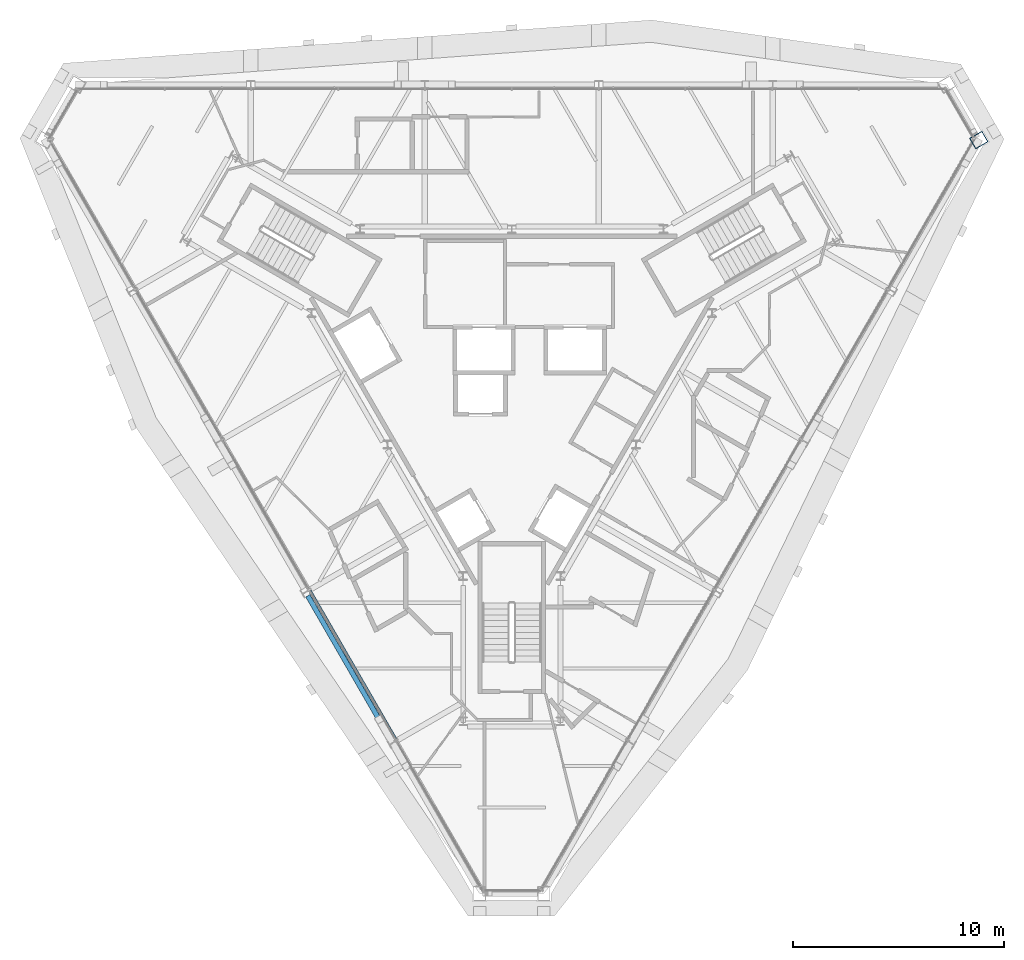
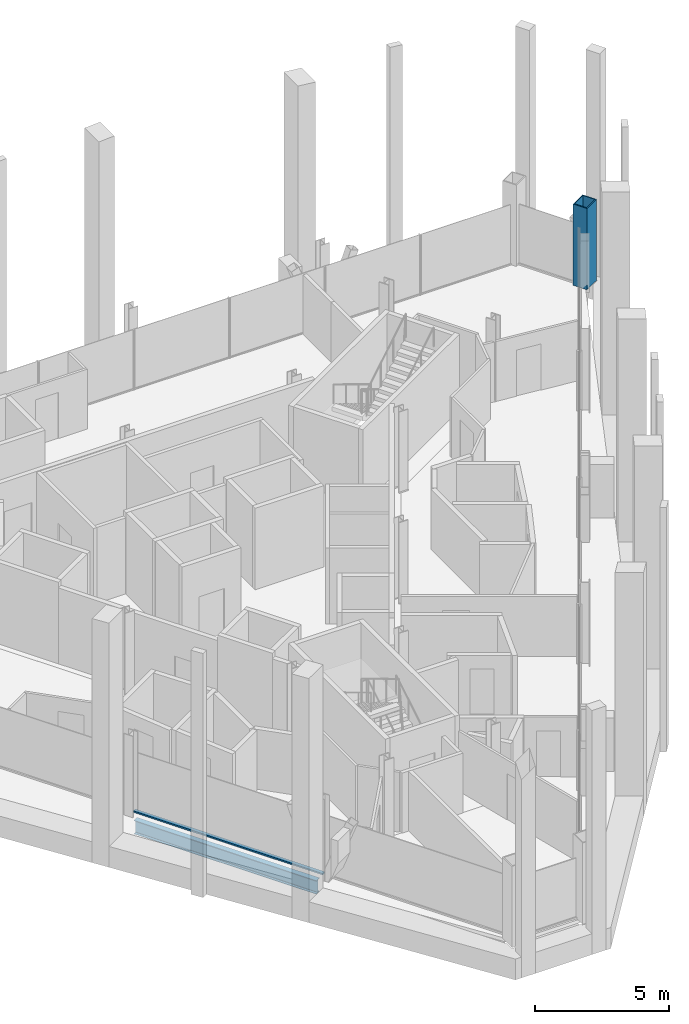
# One storey, part 2 of 12: 1 beam, 1 column, 1 member, 1 element without a shape of its own.
"""IFC4 building model written with IfcOpenShell, lengths in metres."""

import ifcopenshell
import ifcopenshell.guid

model = None  # the IFC model being written
_history = None  # IfcOwnerHistory: only IFC2X3 demands one
_inside = {}  # id of a spatial element -> (the spatial element, [elements in it])
_under = {}  # id of a project, library or spatial element -> (it, [spatial elements below it])
_declared = {}  # id of a project -> (the project, [libraries it declares])
_typed = {}  # id of a type object -> (the type object, [elements of that type])
_made_of = {}  # id of a material, layer set ... -> (it, [elements and type objects made of it])


def new_model(schema):
    """Start an empty IFC model of exactly this schema.

    Asked for "IFC4X3", IfcOpenShell would pick the latest addendum, in which some entities
    have other attributes; the version numbers below select the first issue.
    IFC2X3 requires an IfcOwnerHistory on every rooted entity: one is made here for all.
    """
    global model, _history
    if schema == "IFC4X3":
        model = ifcopenshell.file(schema_version=(4, 3, 0, 0))
    else:
        model = ifcopenshell.file(schema=schema)
    _inside.clear()
    _under.clear()
    _declared.clear()
    _typed.clear()
    _made_of.clear()
    _history = None
    if model.schema == "IFC2X3":
        org = make("IfcOrganization", Name="unknown")
        user = make(
            "IfcPersonAndOrganization",
            ThePerson=make("IfcPerson", FamilyName="unknown"),
            TheOrganization=org,
        )
        app = make(
            "IfcApplication",
            ApplicationDeveloper=org,
            Version="unknown",
            ApplicationFullName="unknown",
            ApplicationIdentifier="unknown",
        )
        _history = make(
            "IfcOwnerHistory",
            OwningUser=user,
            OwningApplication=app,
            ChangeAction="ADDED",
            CreationDate=0,
        )
    return model


def make(cls, **values):
    """One entity of the class cls with the attributes given. An attribute that is None is left unset."""
    return model.create_entity(
        cls, **{name: value for name, value in values.items() if value is not None}
    )


def rooted(cls, **values):
    """An entity with a GlobalId (a new one), such as an element, a storey or a relation."""
    return make(cls, GlobalId=ifcopenshell.guid.new(), OwnerHistory=_history, **values)


def si_unit(unit_type, name, prefix=None):
    """IfcSIUnit, for example si_unit("LENGTHUNIT", "METRE", prefix="MILLI")."""
    return make("IfcSIUnit", UnitType=unit_type, Prefix=prefix, Name=name)


def assignment(units):
    """IfcUnitAssignment: the units of a project."""
    return None if units is None else make("IfcUnitAssignment", Units=units)


def point(xyz):
    """IfcCartesianPoint."""
    return None if xyz is None else make("IfcCartesianPoint", Coordinates=xyz)


def direction(xyz):
    """IfcDirection."""
    return None if xyz is None else make("IfcDirection", DirectionRatios=xyz)


def frame(location, z_axis=None, x_axis=None):
    """IfcAxis2Placement3D, a coordinate frame: its origin and axes. An axis left out is left unset."""
    return make(
        "IfcAxis2Placement3D",
        Location=point(location),
        Axis=direction(z_axis),
        RefDirection=direction(x_axis),
    )


def frame_2d(location, x_axis=None):
    """IfcAxis2Placement2D, a coordinate frame in the plane: its origin and x axis."""
    return make(
        "IfcAxis2Placement2D", Location=point(location), RefDirection=direction(x_axis)
    )


def origin():
    """The frame at (0, 0, 0) with its axes left unset."""
    return frame((0.0, 0.0, 0.0))


def origin_2d():
    """The frame at (0, 0) in the plane with its x axis left unset."""
    return frame_2d((0.0, 0.0))


def place(relative_to, where):
    """IfcLocalPlacement: puts the frame where relative to a parent placement (None: the world)."""
    return make(
        "IfcLocalPlacement", PlacementRelTo=relative_to, RelativePlacement=where
    )


def context(
    kind, dimensions, precision=None, world=None, true_north=None, identifier=None
):
    """IfcGeometricRepresentationContext, for example the 3D "Model" context."""
    return make(
        "IfcGeometricRepresentationContext",
        ContextIdentifier=identifier,
        ContextType=kind,
        CoordinateSpaceDimension=dimensions,
        Precision=precision,
        WorldCoordinateSystem=world,
        TrueNorth=true_north,
    )


def subcontext(parent, identifier, kind, view, scale=None):
    """IfcGeometricRepresentationSubContext, for example "Body" below "Model"."""
    return make(
        "IfcGeometricRepresentationSubContext",
        ContextIdentifier=identifier,
        ContextType=kind,
        ParentContext=parent,
        TargetScale=scale,
        TargetView=view,
    )


def project(units=None, contexts=None):
    """IfcProject with its units and contexts."""
    return rooted(
        "IfcProject",
        Name="project",
        RepresentationContexts=contexts,
        UnitsInContext=assignment(units),
    )


def spatial(cls, under=None, at=None, **own):
    """A site, building, storey or space (cls), placed at a placement, below another one or the project."""
    s = rooted(cls, ObjectPlacement=at, **own)
    if under is not None:
        _under.setdefault(under.id(), (under, []))[1].append(s)
    return s


def profile(cls, at=None, kind="AREA", **sizes):
    """A parametric profile (cls). Its sizes go by their IFC names, for example OverallWidth=200.0."""
    return make(cls, ProfileType=kind, Position=at, **sizes)


def rectangle(**sizes):
    """IfcRectangleProfileDef."""
    return profile("IfcRectangleProfileDef", **sizes)


def hollow_rectangle(**sizes):
    """IfcRectangleHollowProfileDef."""
    return profile("IfcRectangleHollowProfileDef", **sizes)


def i_section(**sizes):
    """IfcIShapeProfileDef."""
    return profile("IfcIShapeProfileDef", **sizes)


def extrude(swept, where, along, depth):
    """IfcExtrudedAreaSolid: the profile swept, set in the frame where, extruded along a direction by depth."""
    return make(
        "IfcExtrudedAreaSolid",
        SweptArea=swept,
        Position=where,
        ExtrudedDirection=direction(along),
        Depth=depth,
    )


def shape(context_of_items, identifier, shape_type, items):
    """IfcShapeRepresentation: the items that make up one representation, for example the "Body"."""
    return make(
        "IfcShapeRepresentation",
        ContextOfItems=context_of_items,
        RepresentationIdentifier=identifier,
        RepresentationType=shape_type,
        Items=items,
    )


def material(Name=None, Category=None):
    """IfcMaterial."""
    return make("IfcMaterial", Name=Name, Category=Category)


def material_profile(
    of_material, cross_section, Name=None, Category=None, Priority=None
):
    """IfcMaterialProfile: a cross section and its material."""
    return make(
        "IfcMaterialProfile",
        Name=Name,
        Material=of_material,
        Profile=cross_section,
        Priority=Priority,
        Category=Category,
    )


def profile_set(profiles, Name=None, composite=None):
    """IfcMaterialProfileSet."""
    return make(
        "IfcMaterialProfileSet",
        Name=Name,
        MaterialProfiles=profiles,
        CompositeProfile=composite,
    )


def made_of(thing, what):
    """Note that an element or type object is made of a material, layer set ...; save() writes the relation."""
    if what is not None:
        _made_of.setdefault(what.id(), (what, []))[1].append(thing)
    return thing


def type_object(cls, material=None, **own):
    """A type object (cls), such as IfcWallType, which elements share."""
    return made_of(rooted(cls, **own), material)


def element(
    cls,
    number,
    at=None,
    inside=None,
    cuts=None,
    type_object=None,
    material=None,
    context=None,
    identifier="Body",
    shape_type=None,
    held_by="IfcProductDefinitionShape",
    body=None,
    shapes=None,
    **own,
):
    """One element of the class cls, such as IfcWall. Its Tag is "e" and its number.

    at: its placement. inside: the storey or other place that contains it. cuts: it is an
    opening in that element (IfcRelVoidsElement). A single representation is given by context,
    identifier, shape_type and body (its items); several are given by shapes. held_by: the class
    of the entity that holds the representations. save() writes the other relations.
    """
    e = rooted(cls, Tag="e%d" % number, ObjectPlacement=at, **own)
    if body is not None:
        shapes = [shape(context, identifier, shape_type, body)]
    if shapes is not None:
        e.Representation = make(held_by, Representations=shapes)
    if inside is not None:
        _inside.setdefault(inside.id(), (inside, []))[1].append(e)
    if cuts is not None:
        rooted(
            "IfcRelVoidsElement", RelatingBuildingElement=cuts, RelatedOpeningElement=e
        )
    if type_object is not None:
        _typed.setdefault(type_object.id(), (type_object, []))[1].append(e)
    return made_of(e, material)


def aggregate(whole, parts):
    """IfcRelAggregates: a whole, such as a stair, and the parts it consists of."""
    return rooted("IfcRelAggregates", RelatingObject=whole, RelatedObjects=parts)


def save(model, path):
    """Write the relations noted so far, then the file.

    IfcRelAggregates (storeys below a building ...), IfcRelContainedInSpatialStructure (elements
    in a storey), IfcRelDefinesByType, IfcRelAssociatesMaterial and IfcRelDeclares: one each for
    every whole, place, type object, material and project.
    """
    for whole, parts in _under.values():
        aggregate(whole, parts)
    for where, things in _inside.values():
        rooted(
            "IfcRelContainedInSpatialStructure",
            RelatedElements=things,
            RelatingStructure=where,
        )
    for kind, things in _typed.values():
        rooted("IfcRelDefinesByType", RelatedObjects=things, RelatingType=kind)
    for what, things in _made_of.values():
        rooted("IfcRelAssociatesMaterial", RelatedObjects=things, RelatingMaterial=what)
    for by, libraries in _declared.values():
        rooted("IfcRelDeclares", RelatingContext=by, RelatedDefinitions=libraries)
    model.write(path)


model = new_model("IFC4")

# Units and contexts
model_context = context("Model", 3, precision=1e-05, world=origin(), true_north=direction((0.0, 1.0)))
body_context = subcontext(model_context, "Body", "Model", "MODEL_VIEW")
ifc_project = project(units=[si_unit("LENGTHUNIT", "METRE"), si_unit("AREAUNIT", "SQUARE_METRE"), si_unit("VOLUMEUNIT", "CUBIC_METRE"), si_unit("PLANEANGLEUNIT", "RADIAN"), si_unit("MASSUNIT", "GRAM", prefix="KILO")], contexts=[model_context])

# Site, building, storey
site_placement = place(None, origin())
site = spatial("IfcSite", under=ifc_project, at=site_placement, CompositionType="ELEMENT")
building_placement = place(site_placement, origin())
building = spatial("IfcBuilding", under=site, at=building_placement, Name="Verrane Prism Tower", CompositionType="ELEMENT")
storey_placement = place(building_placement, frame((0.0, 0.0, 264.0)))
storey = spatial("IfcBuildingStorey", under=building, at=storey_placement, Name="L66", CompositionType="ELEMENT", Elevation=264.0)

# Column
ifc_material_1 = material(Name="Steel A572 Grade 50", Category="steel")
ifc_material_profile_1 = material_profile(ifc_material_1, hollow_rectangle(XDim=0.60009765625, YDim=0.699951171875, WallThickness=0.0400390625, at=origin_2d()), Name="BOX 700x600x40")
ifc_profile_set_1 = profile_set([ifc_material_profile_1], Name="Steel A572 Grade 50")
column_type = type_object("IfcColumnType", Name="Megacolumn BOX 700x600x40", PredefinedType="COLUMN", material=ifc_profile_set_1)
column_placement = place(storey_placement, frame((22.1201171875, 11.02001953125, 0.0), z_axis=(0.0, 0.0, 1.0), x_axis=(0.5, -0.866025403784, 0.0)))
element("IfcColumn", 1, at=column_placement, inside=storey, type_object=column_type, Name="Megacolumn MC-NE.a L66", PredefinedType="COLUMN", context=body_context, shape_type="SweptSolid", body=[
    extrude(hollow_rectangle(XDim=0.60009765625, YDim=0.699951171875, WallThickness=0.0400390625, at=origin_2d()), origin(), (0.0, 0.0, 1.0), 3.699951171875),
])

# Beam
ifc_material_2 = material(Name="Steel A992", Category="steel")
ifc_material_profile_2 = material_profile(ifc_material_2, i_section(OverallWidth=0.23046875, OverallDepth=0.6171875, WebThickness=0.01318359375, FlangeThickness=0.022216796875, FilletRadius=0.012939453125, at=origin_2d()), Name="W24x94")
ifc_profile_set_2 = profile_set([ifc_material_profile_2], Name="Steel A992")
beam_type = type_object("IfcBeamType", Name="Spandrel beam W24x94", PredefinedType="SPANDREL", material=ifc_profile_set_2)
beam_placement = place(storey_placement, frame((-9.66162109375, -10.560546875, -0.468505859375), z_axis=(0.499798737888, -0.866141571341, 0.0), x_axis=(0.866141571341, 0.499798737888, 0.0)))
element("IfcBeam", 2, at=beam_placement, inside=storey, type_object=beam_type, Name="Spandrel beam L66", PredefinedType="SPANDREL", context=body_context, shape_type="SweptSolid", body=[
    extrude(i_section(OverallWidth=0.23046875, OverallDepth=0.6171875, WebThickness=0.01318359375, FlangeThickness=0.022216796875, FilletRadius=0.012939453125, at=origin_2d()), origin(), (0.0, 0.0, 1.0), 7.849853515625),
])

# Curtain wall, member
ifc_material_3 = material(Name="Aluminium framed insulated glazing", Category="aluminium")
curtain_wall_type = type_object("IfcCurtainWallType", Name="Curtain wall CW-A 8400 module", PredefinedType="NOTDEFINED", material=ifc_material_3)
curtain_wall_placement = place(storey_placement, origin())
curtain_wall = element("IfcCurtainWall", 3, at=curtain_wall_placement, inside=storey, type_object=curtain_wall_type, Name="Glazed curtain wall south-west face L66", PredefinedType="NOTDEFINED")
ifc_material_4 = material(Name="Aluminium alloy 6063-T6", Category="aluminium")
ifc_material_profile_3 = material_profile(ifc_material_4, rectangle(XDim=0.14990234375, YDim=0.070068359375, at=origin_2d()), Name="Transom 70x150 aluminium")
ifc_profile_set_3 = profile_set([ifc_material_profile_3], Name="Aluminium alloy 6063-T6")
member_type = type_object("IfcMemberType", Name="Transom 70x150 aluminium", PredefinedType="USERDEFINED", material=ifc_profile_set_3)
member_placement = place(storey_placement, frame((-9.573486328125, -10.3125, 0.034912109375), z_axis=(0.499993044538, -0.866029419485, 0.0), x_axis=(0.866029419485, 0.499993044538, 0.0)))
member = element("IfcMember", 4, at=member_placement, type_object=member_type, Name="CW66.4 transom 4", ObjectType="TRANSOM", PredefinedType="USERDEFINED", context=body_context, shape_type="SweptSolid", body=[
    extrude(rectangle(XDim=0.14990234375, YDim=0.070068359375, at=origin_2d()), origin(), (0.0, 0.0, 1.0), 8.1484375),
])
aggregate(curtain_wall, [member])

save(model, "model.ifc")
